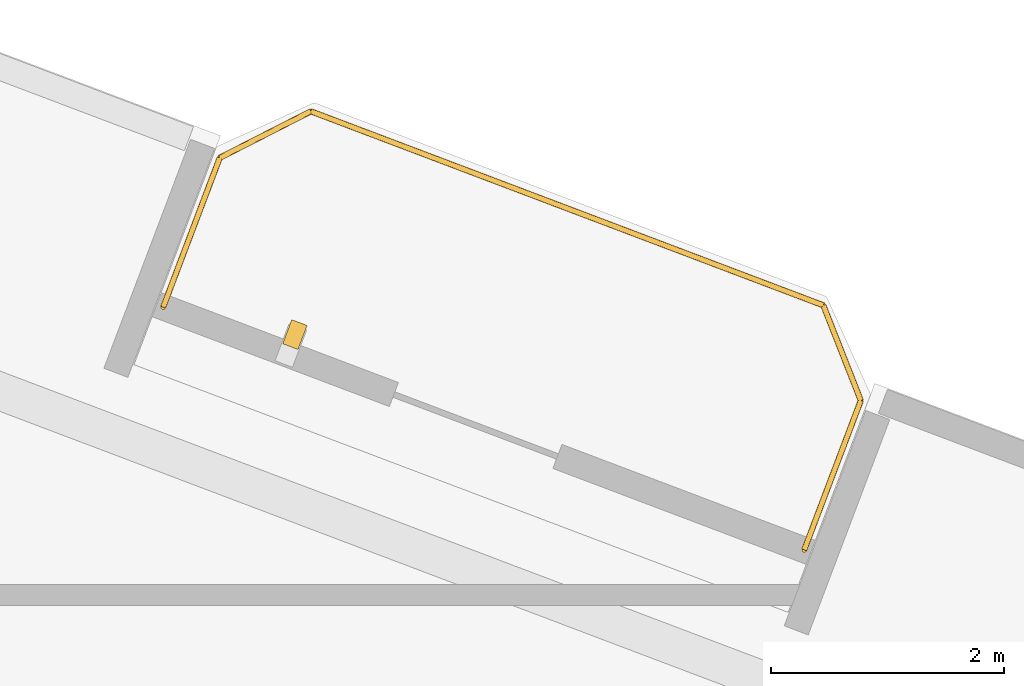
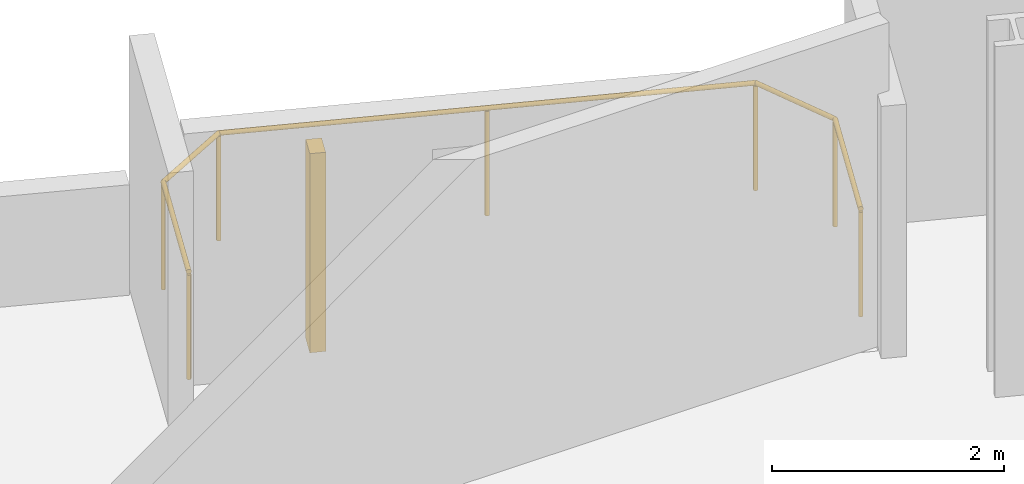
# One storey, part 25 of 25: 1 railing, 1 shading device.
"""IFC4 building model written with IfcOpenShell, lengths in metres."""

from ifc_helpers import new_model, si_unit, direction, frame, origin, origin_2d, place, context, subcontext, project, spatial, rectangle, circle, extrude, source, transform, mapped, material, type_object, element, save


model = new_model("IFC4")

# Units and contexts
model_context = context("Model", 3, precision=1e-05, world=origin(), true_north=direction((0.0, 1.0)))
body_context = subcontext(model_context, "Body", "Model", "MODEL_VIEW")
ifc_project = project(units=[si_unit("LENGTHUNIT", "METRE"), si_unit("AREAUNIT", "SQUARE_METRE"), si_unit("VOLUMEUNIT", "CUBIC_METRE"), si_unit("PLANEANGLEUNIT", "RADIAN"), si_unit("MASSUNIT", "GRAM", prefix="KILO")], contexts=[model_context])

# Site, building, storey
site_placement = place(None, origin())
site = spatial("IfcSite", under=ifc_project, at=site_placement, CompositionType="ELEMENT")
building_placement = place(site_placement, origin())
building = spatial("IfcBuilding", under=site, at=building_placement, Name="Varnelok Gate Tower", CompositionType="ELEMENT")
storey_placement = place(building_placement, frame((0.0, 0.0, 113.199951171875)))
storey = spatial("IfcBuildingStorey", under=building, at=storey_placement, Name="L28", CompositionType="ELEMENT", Elevation=113.199951171875)

# Railing
ifc_material_1 = material(Name="Low-E Laminated Double Glazing IGU", Category="glass")
railing_type = type_object("IfcRailingType", Name="RL-BALC-1150", PredefinedType="BALUSTRADE", material=ifc_material_1)
railing_placement = place(storey_placement, frame((57.689208984375, 41.7705078125, 0.0)))
element("IfcRailing", 1, at=railing_placement, inside=storey, type_object=railing_type, Name="L28 North Terrace Balustrade 6", PredefinedType="BALUSTRADE", context=body_context, shape_type="SweptSolid", body=[
    extrude(circle(Radius=0.02392578125, at=origin_2d()), frame((0.0, 0.0, 1.1259765625), z_axis=(0.354090105886, 0.935211311369, 0.0), x_axis=(-0.935211311369, 0.354090105886, 0.0)), (0.0, 0.0, 1.0), 1.3701171875),
    extrude(circle(Radius=0.02392578125, at=origin_2d()), frame((0.485107421875, 1.28125, 1.1259765625), z_axis=(0.89078254773, 0.454429810487, 0.0), x_axis=(-0.454429810487, 0.89078254773, 0.0)), (0.0, 0.0, 1.0), 0.8779296875),
    extrude(circle(Radius=0.02392578125, at=origin_2d()), frame((1.26708984375, 1.68017578125, 1.1259765625), z_axis=(0.935223045203, -0.354059113314, 0.0), x_axis=(0.354059113314, 0.935223045203, 0.0)), (0.0, 0.0, 1.0), 4.699951171875),
    extrude(circle(Radius=0.02392578125, at=origin_2d()), frame((5.66259765625, 0.01611328125, 1.1259765625), z_axis=(0.36659018357, -0.930382522036, 0.0), x_axis=(0.930382522036, 0.36659018357, 0.0)), (0.0, 0.0, 1.0), 0.877685546875),
    extrude(circle(Radius=0.02392578125, at=origin_2d()), frame((5.984375, -0.800537109375, 1.1259765625), z_axis=(-0.354090105886, -0.935211311369, 0.0), x_axis=(0.935211311369, -0.354090105886, 0.0)), (0.0, 0.0, 1.0), 1.3701171875),
    extrude(circle(Radius=0.02099609375, at=origin_2d()), origin(), (0.0, 0.0, 1.0), 1.101806640625),
    extrude(circle(Radius=0.02099609375, at=origin_2d()), frame((0.485107421875, 1.28125, 0.0)), (0.0, 0.0, 1.0), 1.101806640625),
    extrude(circle(Radius=0.02099609375, at=origin_2d()), frame((1.26708984375, 1.68017578125, 0.0)), (0.0, 0.0, 1.0), 1.101806640625),
    extrude(circle(Radius=0.02099609375, at=origin_2d()), frame((3.46484375, 0.84814453125, 0.0)), (0.0, 0.0, 1.0), 1.101806640625),
    extrude(circle(Radius=0.02099609375, at=origin_2d()), frame((5.66259765625, 0.01611328125, 0.0)), (0.0, 0.0, 1.0), 1.101806640625),
    extrude(circle(Radius=0.02099609375, at=origin_2d()), frame((5.984375, -0.800537109375, 0.0)), (0.0, 0.0, 1.0), 1.101806640625),
    extrude(circle(Radius=0.02099609375, at=origin_2d()), frame((5.499267578125, -2.081787109375, 0.0)), (0.0, 0.0, 1.0), 1.101806640625),
])

# Shading device
ifc_material_2 = material(Name="Glazed Architectural Terracotta Ceramic", Category="masonry")
shading_device_type = type_object("IfcShadingDeviceType", Name="SHD-TERRA-BAGUETTE", PredefinedType="USERDEFINED", material=ifc_material_2)
shared_shape = source(origin(), body_context, "Body", "SweptSolid", [
    extrude(rectangle(XDim=0.139892578125, YDim=0.219970703125, at=origin_2d()), origin(), (0.0, 0.0, 1.0), 2.10009765625),
])
shading_device_placement = place(storey_placement, frame((58.819091796875, 41.535400390625, 0.10009765625), z_axis=(0.0, 0.0, 1.0), x_axis=(0.935221751401, -0.354062530786, 0.0)))
element("IfcShadingDevice", 2, at=shading_device_placement, inside=storey, type_object=shading_device_type, Name="L28 Terracotta Ceramic Baguette Sunscreen 6.1", ObjectType="BAGUETTE", PredefinedType="USERDEFINED", context=body_context, shape_type="MappedRepresentation", body=[
    mapped(shared_shape, transform((0.0, 0.0, 0.0), scale=1.0)),
])

save(model, "model.ifc")
